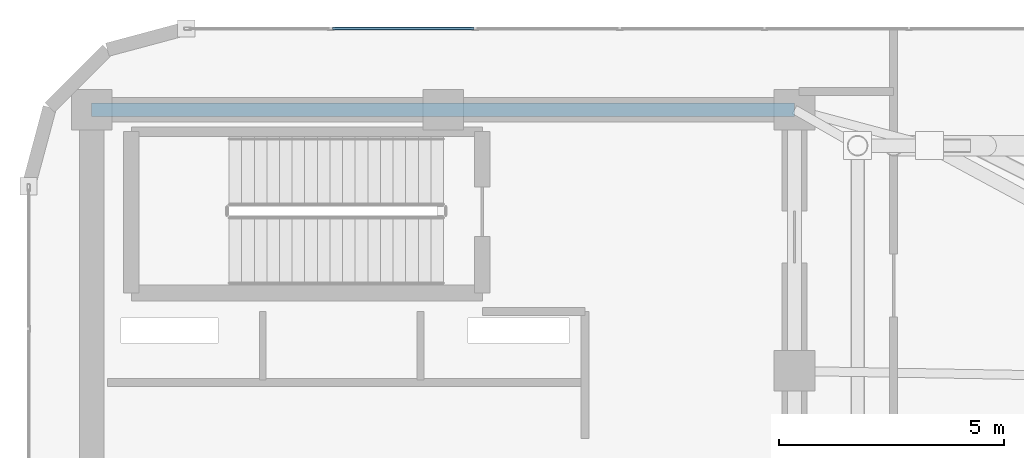
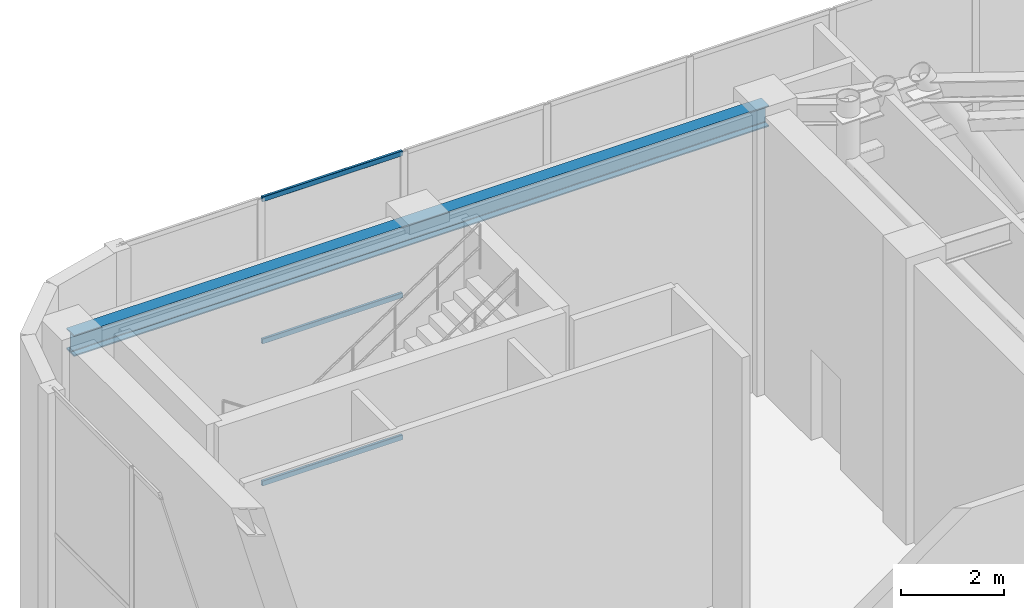
# One storey, part 13 of 23: 3 members, 1 beam, 1 element without a shape of its own.
"""IFC4 building model written with IfcOpenShell, lengths in metres."""

import ifcopenshell
import ifcopenshell.guid

model = None  # the IFC model being written
_history = None  # IfcOwnerHistory: only IFC2X3 demands one
_inside = {}  # id of a spatial element -> (the spatial element, [elements in it])
_under = {}  # id of a project, library or spatial element -> (it, [spatial elements below it])
_declared = {}  # id of a project -> (the project, [libraries it declares])
_typed = {}  # id of a type object -> (the type object, [elements of that type])
_made_of = {}  # id of a material, layer set ... -> (it, [elements and type objects made of it])


def new_model(schema):
    """Start an empty IFC model of exactly this schema.

    Asked for "IFC4X3", IfcOpenShell would pick the latest addendum, in which some entities
    have other attributes; the version numbers below select the first issue.
    IFC2X3 requires an IfcOwnerHistory on every rooted entity: one is made here for all.
    """
    global model, _history
    if schema == "IFC4X3":
        model = ifcopenshell.file(schema_version=(4, 3, 0, 0))
    else:
        model = ifcopenshell.file(schema=schema)
    _inside.clear()
    _under.clear()
    _declared.clear()
    _typed.clear()
    _made_of.clear()
    _history = None
    if model.schema == "IFC2X3":
        org = make("IfcOrganization", Name="unknown")
        user = make(
            "IfcPersonAndOrganization",
            ThePerson=make("IfcPerson", FamilyName="unknown"),
            TheOrganization=org,
        )
        app = make(
            "IfcApplication",
            ApplicationDeveloper=org,
            Version="unknown",
            ApplicationFullName="unknown",
            ApplicationIdentifier="unknown",
        )
        _history = make(
            "IfcOwnerHistory",
            OwningUser=user,
            OwningApplication=app,
            ChangeAction="ADDED",
            CreationDate=0,
        )
    return model


def make(cls, **values):
    """One entity of the class cls with the attributes given. An attribute that is None is left unset."""
    return model.create_entity(
        cls, **{name: value for name, value in values.items() if value is not None}
    )


def rooted(cls, **values):
    """An entity with a GlobalId (a new one), such as an element, a storey or a relation."""
    return make(cls, GlobalId=ifcopenshell.guid.new(), OwnerHistory=_history, **values)


def si_unit(unit_type, name, prefix=None):
    """IfcSIUnit, for example si_unit("LENGTHUNIT", "METRE", prefix="MILLI")."""
    return make("IfcSIUnit", UnitType=unit_type, Prefix=prefix, Name=name)


def assignment(units):
    """IfcUnitAssignment: the units of a project."""
    return None if units is None else make("IfcUnitAssignment", Units=units)


def point(xyz):
    """IfcCartesianPoint."""
    return None if xyz is None else make("IfcCartesianPoint", Coordinates=xyz)


def direction(xyz):
    """IfcDirection."""
    return None if xyz is None else make("IfcDirection", DirectionRatios=xyz)


def frame(location, z_axis=None, x_axis=None):
    """IfcAxis2Placement3D, a coordinate frame: its origin and axes. An axis left out is left unset."""
    return make(
        "IfcAxis2Placement3D",
        Location=point(location),
        Axis=direction(z_axis),
        RefDirection=direction(x_axis),
    )


def frame_2d(location, x_axis=None):
    """IfcAxis2Placement2D, a coordinate frame in the plane: its origin and x axis."""
    return make(
        "IfcAxis2Placement2D", Location=point(location), RefDirection=direction(x_axis)
    )


def origin():
    """The frame at (0, 0, 0) with its axes left unset."""
    return frame((0.0, 0.0, 0.0))


def origin_2d():
    """The frame at (0, 0) in the plane with its x axis left unset."""
    return frame_2d((0.0, 0.0))


def place(relative_to, where):
    """IfcLocalPlacement: puts the frame where relative to a parent placement (None: the world)."""
    return make(
        "IfcLocalPlacement", PlacementRelTo=relative_to, RelativePlacement=where
    )


def context(
    kind, dimensions, precision=None, world=None, true_north=None, identifier=None
):
    """IfcGeometricRepresentationContext, for example the 3D "Model" context."""
    return make(
        "IfcGeometricRepresentationContext",
        ContextIdentifier=identifier,
        ContextType=kind,
        CoordinateSpaceDimension=dimensions,
        Precision=precision,
        WorldCoordinateSystem=world,
        TrueNorth=true_north,
    )


def subcontext(parent, identifier, kind, view, scale=None):
    """IfcGeometricRepresentationSubContext, for example "Body" below "Model"."""
    return make(
        "IfcGeometricRepresentationSubContext",
        ContextIdentifier=identifier,
        ContextType=kind,
        ParentContext=parent,
        TargetScale=scale,
        TargetView=view,
    )


def project(units=None, contexts=None):
    """IfcProject with its units and contexts."""
    return rooted(
        "IfcProject",
        Name="project",
        RepresentationContexts=contexts,
        UnitsInContext=assignment(units),
    )


def spatial(cls, under=None, at=None, **own):
    """A site, building, storey or space (cls), placed at a placement, below another one or the project."""
    s = rooted(cls, ObjectPlacement=at, **own)
    if under is not None:
        _under.setdefault(under.id(), (under, []))[1].append(s)
    return s


def profile(cls, at=None, kind="AREA", **sizes):
    """A parametric profile (cls). Its sizes go by their IFC names, for example OverallWidth=200.0."""
    return make(cls, ProfileType=kind, Position=at, **sizes)


def hollow_rectangle(**sizes):
    """IfcRectangleHollowProfileDef."""
    return profile("IfcRectangleHollowProfileDef", **sizes)


def i_section(**sizes):
    """IfcIShapeProfileDef."""
    return profile("IfcIShapeProfileDef", **sizes)


def extrude(swept, where, along, depth):
    """IfcExtrudedAreaSolid: the profile swept, set in the frame where, extruded along a direction by depth."""
    return make(
        "IfcExtrudedAreaSolid",
        SweptArea=swept,
        Position=where,
        ExtrudedDirection=direction(along),
        Depth=depth,
    )


def shape(context_of_items, identifier, shape_type, items):
    """IfcShapeRepresentation: the items that make up one representation, for example the "Body"."""
    return make(
        "IfcShapeRepresentation",
        ContextOfItems=context_of_items,
        RepresentationIdentifier=identifier,
        RepresentationType=shape_type,
        Items=items,
    )


def material(Name=None, Category=None):
    """IfcMaterial."""
    return make("IfcMaterial", Name=Name, Category=Category)


def layer(
    of_material, thickness, ventilated=None, Name=None, Category=None, Priority=None
):
    """IfcMaterialLayer: one layer of a wall or slab, of a material (None: an air gap)."""
    return make(
        "IfcMaterialLayer",
        Material=of_material,
        LayerThickness=thickness,
        IsVentilated=ventilated,
        Name=Name,
        Category=Category,
        Priority=Priority,
    )


def layer_set(layers, Name=None):
    """IfcMaterialLayerSet."""
    return make("IfcMaterialLayerSet", MaterialLayers=layers, LayerSetName=Name)


def material_profile(
    of_material, cross_section, Name=None, Category=None, Priority=None
):
    """IfcMaterialProfile: a cross section and its material."""
    return make(
        "IfcMaterialProfile",
        Name=Name,
        Material=of_material,
        Profile=cross_section,
        Priority=Priority,
        Category=Category,
    )


def profile_set(profiles, Name=None, composite=None):
    """IfcMaterialProfileSet."""
    return make(
        "IfcMaterialProfileSet",
        Name=Name,
        MaterialProfiles=profiles,
        CompositeProfile=composite,
    )


def made_of(thing, what):
    """Note that an element or type object is made of a material, layer set ...; save() writes the relation."""
    if what is not None:
        _made_of.setdefault(what.id(), (what, []))[1].append(thing)
    return thing


def type_object(cls, material=None, **own):
    """A type object (cls), such as IfcWallType, which elements share."""
    return made_of(rooted(cls, **own), material)


def element(
    cls,
    number,
    at=None,
    inside=None,
    cuts=None,
    type_object=None,
    material=None,
    context=None,
    identifier="Body",
    shape_type=None,
    held_by="IfcProductDefinitionShape",
    body=None,
    shapes=None,
    **own,
):
    """One element of the class cls, such as IfcWall. Its Tag is "e" and its number.

    at: its placement. inside: the storey or other place that contains it. cuts: it is an
    opening in that element (IfcRelVoidsElement). A single representation is given by context,
    identifier, shape_type and body (its items); several are given by shapes. held_by: the class
    of the entity that holds the representations. save() writes the other relations.
    """
    e = rooted(cls, Tag="e%d" % number, ObjectPlacement=at, **own)
    if body is not None:
        shapes = [shape(context, identifier, shape_type, body)]
    if shapes is not None:
        e.Representation = make(held_by, Representations=shapes)
    if inside is not None:
        _inside.setdefault(inside.id(), (inside, []))[1].append(e)
    if cuts is not None:
        rooted(
            "IfcRelVoidsElement", RelatingBuildingElement=cuts, RelatedOpeningElement=e
        )
    if type_object is not None:
        _typed.setdefault(type_object.id(), (type_object, []))[1].append(e)
    return made_of(e, material)


def aggregate(whole, parts):
    """IfcRelAggregates: a whole, such as a stair, and the parts it consists of."""
    return rooted("IfcRelAggregates", RelatingObject=whole, RelatedObjects=parts)


def save(model, path):
    """Write the relations noted so far, then the file.

    IfcRelAggregates (storeys below a building ...), IfcRelContainedInSpatialStructure (elements
    in a storey), IfcRelDefinesByType, IfcRelAssociatesMaterial and IfcRelDeclares: one each for
    every whole, place, type object, material and project.
    """
    for whole, parts in _under.values():
        aggregate(whole, parts)
    for where, things in _inside.values():
        rooted(
            "IfcRelContainedInSpatialStructure",
            RelatedElements=things,
            RelatingStructure=where,
        )
    for kind, things in _typed.values():
        rooted("IfcRelDefinesByType", RelatedObjects=things, RelatingType=kind)
    for what, things in _made_of.values():
        rooted("IfcRelAssociatesMaterial", RelatedObjects=things, RelatingMaterial=what)
    for by, libraries in _declared.values():
        rooted("IfcRelDeclares", RelatingContext=by, RelatedDefinitions=libraries)
    model.write(path)


model = new_model("IFC4")

# Units and contexts
model_context = context("Model", 3, precision=1e-05, world=origin(), true_north=direction((0.0, 1.0)))
body_context = subcontext(model_context, "Body", "Model", "MODEL_VIEW")
ifc_project = project(units=[si_unit("LENGTHUNIT", "METRE"), si_unit("AREAUNIT", "SQUARE_METRE"), si_unit("VOLUMEUNIT", "CUBIC_METRE"), si_unit("PLANEANGLEUNIT", "RADIAN"), si_unit("MASSUNIT", "GRAM", prefix="KILO")], contexts=[model_context])

# Site, building, storey
site_placement = place(None, origin())
site = spatial("IfcSite", under=ifc_project, at=site_placement, CompositionType="ELEMENT")
building_placement = place(site_placement, origin())
building = spatial("IfcBuilding", under=site, at=building_placement, Name="An Khanh Terracotta Commons", CompositionType="ELEMENT")
storey_placement = place(building_placement, frame((0.0, 0.0, 322.0)))
storey = spatial("IfcBuildingStorey", under=building, at=storey_placement, Name="L81 Crown Heat-Recovery Plant", CompositionType="ELEMENT", Elevation=322.0)

# Beam
ifc_material_1 = material(Name="Steel S355J2", Category="steel")
ifc_material_profile_1 = material_profile(ifc_material_1, i_section(OverallWidth=0.300048828125, OverallDepth=0.5, WebThickness=0.014404296875, FlangeThickness=0.028076171875, FilletRadius=0.027099609375, at=origin_2d()), Name="HEB500")
ifc_profile_set_1 = profile_set([ifc_material_profile_1], Name="Steel S355J2")
beam_type = type_object("IfcBeamType", Name="BM-HEB500", PredefinedType="BEAM", material=ifc_profile_set_1)
beam_placement = place(storey_placement, frame((21.60009765625, 33.60009765625, 6.330078125), z_axis=(1.0, 0.0, 0.0), x_axis=(0.0, 1.0, 0.0)))
element("IfcBeam", 1, at=beam_placement, inside=storey, type_object=beam_type, Name="L81 Crown Heat-Recovery Plant Core North Coupling Girder", PredefinedType="BEAM", context=body_context, shape_type="SweptSolid", body=[
    extrude(i_section(OverallWidth=0.300048828125, OverallDepth=0.5, WebThickness=0.014404296875, FlangeThickness=0.028076171875, FilletRadius=0.027099609375, at=origin_2d()), origin(), (0.0, 0.0, 1.0), 15.599853515625),
])

# Curtain wall, members
ifc_material_2 = material(Name="Anodised Aluminium 6063-T6", Category="aluminium")
ifc_layer = layer(ifc_material_2, 0.18994140625, Name="Anodised Aluminium 6063-T6")
ifc_layer_set = layer_set([ifc_layer], Name="Anodised Aluminium 6063-T6")
curtain_wall_type = type_object("IfcCurtainWallType", Name="CW-SYS-06", PredefinedType="USERDEFINED", material=ifc_layer_set)
curtain_wall_placement = place(storey_placement, origin())
curtain_wall = element("IfcCurtainWall", 2, at=curtain_wall_placement, inside=storey, type_object=curtain_wall_type, Name="L81 Crown Heat-Recovery Plant CW-06 Unitised Curtain Wall CW-L81-20", ObjectType="UNITISED CURTAIN WALL", PredefinedType="USERDEFINED")
ifc_material_profile_2 = material_profile(ifc_material_2, hollow_rectangle(XDim=0.06005859375, YDim=0.1201171875, WallThickness=0.003662109375, InnerFilletRadius=0.003662109375, OuterFilletRadius=0.007080078125, at=origin_2d()), Name="RHS120x60x3.6")
ifc_profile_set_2 = profile_set([ifc_material_profile_2], Name="Anodised Aluminium 6063-T6")
member_type = type_object("IfcMemberType", Name="CWT-RHS120x60x3.6", PredefinedType="USERDEFINED", material=ifc_profile_set_2)
member_1_placement = place(storey_placement, frame((30.084228515625, 35.39990234375, 0.030029296875), z_axis=(-1.0, 0.0, 0.0), x_axis=(0.0, -1.0, 0.0)))
member_1 = element("IfcMember", 3, at=member_1_placement, type_object=member_type, Name="CW-06 transom 7.1", ObjectType="TRANSOM", PredefinedType="USERDEFINED", context=body_context, shape_type="SweptSolid", body=[
    extrude(hollow_rectangle(XDim=0.06005859375, YDim=0.1201171875, WallThickness=0.003662109375, InnerFilletRadius=0.003662109375, OuterFilletRadius=0.007080078125, at=origin_2d()), origin(), (0.0, 0.0, 1.0), 3.143310546875),
])
member_2_placement = place(storey_placement, frame((30.084228515625, 35.39990234375, 3.39990234375), z_axis=(-1.0, 0.0, 0.0), x_axis=(0.0, -1.0, 0.0)))
member_2 = element("IfcMember", 4, at=member_2_placement, type_object=member_type, Name="CW-06 transom 7.2", ObjectType="TRANSOM", PredefinedType="USERDEFINED", context=body_context, shape_type="SweptSolid", body=[
    extrude(hollow_rectangle(XDim=0.06005859375, YDim=0.1201171875, WallThickness=0.003662109375, InnerFilletRadius=0.003662109375, OuterFilletRadius=0.007080078125, at=origin_2d()), origin(), (0.0, 0.0, 1.0), 3.143310546875),
])
member_3_placement = place(storey_placement, frame((30.084228515625, 35.39990234375, 6.77001953125), z_axis=(-1.0, 0.0, 0.0), x_axis=(0.0, -1.0, 0.0)))
member_3 = element("IfcMember", 5, at=member_3_placement, type_object=member_type, Name="CW-06 transom 7.3", ObjectType="TRANSOM", PredefinedType="USERDEFINED", context=body_context, shape_type="SweptSolid", body=[
    extrude(hollow_rectangle(XDim=0.06005859375, YDim=0.1201171875, WallThickness=0.003662109375, InnerFilletRadius=0.003662109375, OuterFilletRadius=0.007080078125, at=origin_2d()), origin(), (0.0, 0.0, 1.0), 3.143310546875),
])
aggregate(curtain_wall, [member_1, member_2, member_3])

save(model, "model.ifc")
